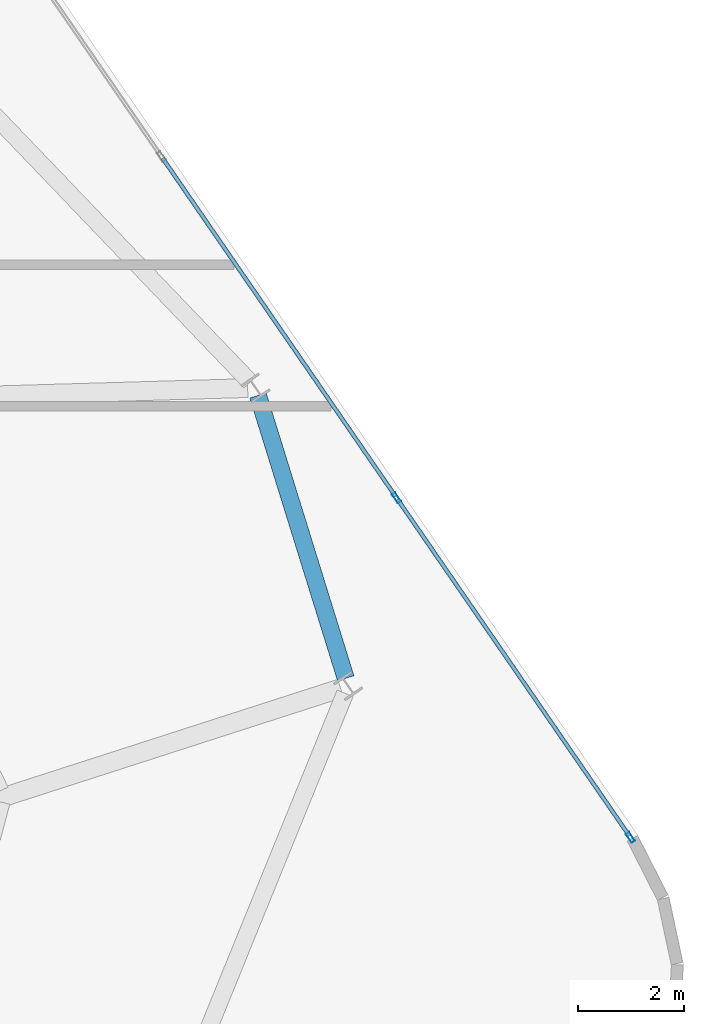
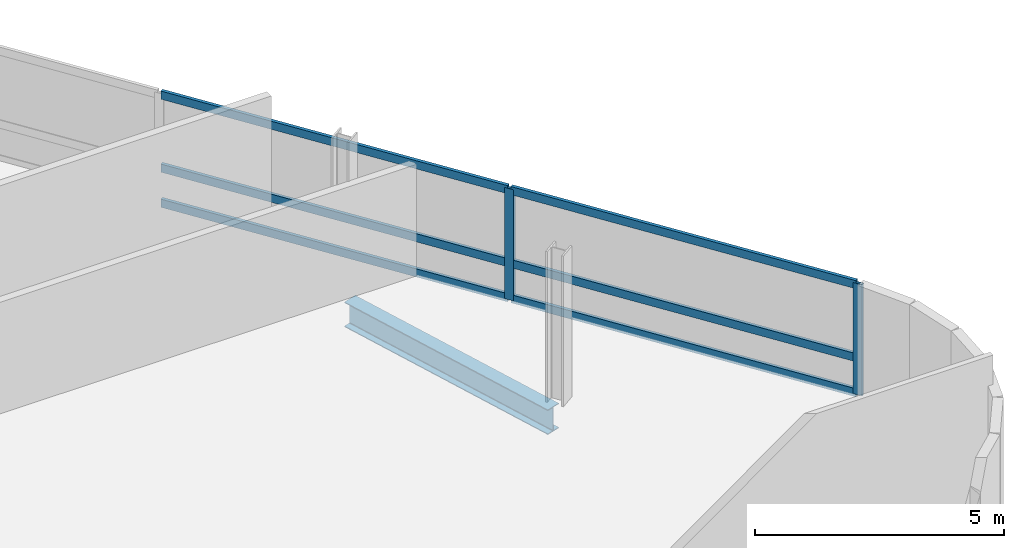
# One storey, part 11 of 21: 8 members, 1 beam, 1 element without a shape of its own.
"""IFC4 building model written with IfcOpenShell, lengths in metres."""

from ifc_helpers import new_model, si_unit, direction, frame, origin, origin_2d, place, context, subcontext, project, spatial, hollow_rectangle, i_section, extrude, material, layer, layer_set, material_profile, profile_set, type_object, element, aggregate, save


model = new_model("IFC4")

# Units and contexts
model_context = context("Model", 3, precision=1e-05, world=origin(), true_north=direction((0.0, 1.0)))
body_context = subcontext(model_context, "Body", "Model", "MODEL_VIEW")
ifc_project = project(units=[si_unit("LENGTHUNIT", "METRE"), si_unit("AREAUNIT", "SQUARE_METRE"), si_unit("VOLUMEUNIT", "CUBIC_METRE"), si_unit("PLANEANGLEUNIT", "RADIAN"), si_unit("MASSUNIT", "GRAM", prefix="KILO")], contexts=[model_context])

# Site, building, storey
site_placement = place(None, origin())
site = spatial("IfcSite", under=ifc_project, at=site_placement, CompositionType="ELEMENT")
building_placement = place(site_placement, origin())
building = spatial("IfcBuilding", under=site, at=building_placement, Name="Varnelok Gate Tower", CompositionType="ELEMENT")
storey_placement = place(building_placement, frame((0.0, 0.0, 276.699951171875)))
storey = spatial("IfcBuildingStorey", under=building, at=storey_placement, Name="L71", CompositionType="ELEMENT", Elevation=276.699951171875)

# Beam
ifc_material_1 = material(Name="Structural Steel ASTM A992 Grade 50", Category="steel")
ifc_material_profile_1 = material_profile(ifc_material_1, i_section(OverallWidth=0.323974609375, OverallDepth=0.611083984375, WebThickness=0.0126953125, FlangeThickness=0.01904296875, FilletRadius=0.01806640625, at=origin_2d()), Name="W24X104")
ifc_profile_set_1 = profile_set([ifc_material_profile_1], Name="Structural Steel ASTM A992 Grade 50")
beam_type = type_object("IfcBeamType", Name="BM-SPN-W24X104", PredefinedType="SPANDREL", material=ifc_profile_set_1)
beam_placement = place(storey_placement, frame((69.8125, 34.1748046875, -0.555419921875), z_axis=(-0.296340003452, 0.955082510757, 0.0), x_axis=(-0.955082510757, -0.296340003452, 0.0)))
element("IfcBeam", 1, at=beam_placement, inside=storey, type_object=beam_type, Name="L71 Perimeter Spandrel Beam 6", PredefinedType="SPANDREL", context=body_context, shape_type="SweptSolid", body=[
    extrude(i_section(OverallWidth=0.323974609375, OverallDepth=0.611083984375, WebThickness=0.0126953125, FlangeThickness=0.01904296875, FilletRadius=0.01806640625, at=origin_2d()), origin(), (0.0, 0.0, 1.0), 5.57666015625),
])

# Curtain wall, members
ifc_material_2 = material(Name="Anodized Aluminum Alloy 6063-T6", Category="aluminium")
ifc_layer = layer(ifc_material_2, 0.179931640625)
ifc_layer_set = layer_set([ifc_layer], Name="Anodized Aluminum Alloy 6063-T6")
curtain_wall_type = type_object("IfcCurtainWallType", Name="CW4-RESIDENCE-VISION", PredefinedType="USERDEFINED", material=ifc_layer_set)
curtain_wall_placement = place(storey_placement, origin())
curtain_wall = element("IfcCurtainWall", 2, at=curtain_wall_placement, inside=storey, type_object=curtain_wall_type, Name="L71 East End Vision Curtain Wall", ObjectType="UNITISED CURTAIN WALL", PredefinedType="USERDEFINED")
ifc_material_profile_2 = material_profile(ifc_material_2, hollow_rectangle(XDim=0.074951171875, YDim=0.199951171875, WallThickness=0.00390625, at=origin_2d()), Name="ALU200X75X4")
ifc_profile_set_2 = profile_set([ifc_material_profile_2], Name="Anodized Aluminum Alloy 6063-T6")
member_type_1 = type_object("IfcMemberType", Name="CW-MULL-200", PredefinedType="MULLION", material=ifc_profile_set_2)
member_1_placement = place(storey_placement, frame((70.768310546875, 37.57373046875, 0.0), z_axis=(0.0, 0.0, 1.0), x_axis=(0.823532290241, 0.567269395376, 0.0)))
member_1 = element("IfcMember", 3, at=member_1_placement, type_object=member_type_1, Name="CW4 mullion 4", PredefinedType="MULLION", context=body_context, shape_type="SweptSolid", body=[
    extrude(hollow_rectangle(XDim=0.074951171875, YDim=0.199951171875, WallThickness=0.00390625, at=origin_2d()), origin(), (0.0, 0.0, 1.0), 2.72998046875),
])
member_2_placement = place(storey_placement, frame((75.171630859375, 31.180908203125, 0.0), z_axis=(0.0, 0.0, 1.0), x_axis=(0.823532290241, 0.567269395376, 0.0)))
member_2 = element("IfcMember", 4, at=member_2_placement, type_object=member_type_1, Name="CW4 mullion 5", PredefinedType="MULLION", context=body_context, shape_type="SweptSolid", body=[
    extrude(hollow_rectangle(XDim=0.074951171875, YDim=0.199951171875, WallThickness=0.00390625, at=origin_2d()), origin(), (0.0, 0.0, 1.0), 2.72998046875),
])
ifc_material_profile_3 = material_profile(ifc_material_2, hollow_rectangle(XDim=0.074951171875, YDim=0.199951171875, WallThickness=0.00390625, at=origin_2d()), Name="ALU200X75X4")
ifc_profile_set_3 = profile_set([ifc_material_profile_3], Name="Anodized Aluminum Alloy 6063-T6")
member_type_2 = type_object("IfcMemberType", Name="CW-TRAN-200", PredefinedType="USERDEFINED", material=ifc_profile_set_3)
member_3_placement = place(storey_placement, frame((66.364990234375, 43.96630859375, 0.03759765625), z_axis=(0.567260941086, -0.823538113701, 0.0), x_axis=(0.823538113701, 0.567260941086, 0.0)))
member_3 = element("IfcMember", 5, at=member_3_placement, type_object=member_type_2, Name="CW4 transom 3.1", ObjectType="TRANSOM", PredefinedType="USERDEFINED", context=body_context, shape_type="SweptSolid", body=[
    extrude(hollow_rectangle(XDim=0.074951171875, YDim=0.199951171875, WallThickness=0.00390625, at=origin_2d()), origin(), (0.0, 0.0, 1.0), 7.72509765625),
])
member_4_placement = place(storey_placement, frame((66.364990234375, 43.96630859375, 0.900146484375), z_axis=(0.567260941086, -0.823538113701, 0.0), x_axis=(0.823538113701, 0.567260941086, 0.0)))
member_4 = element("IfcMember", 6, at=member_4_placement, type_object=member_type_2, Name="CW4 transom 3.2", ObjectType="TRANSOM", PredefinedType="USERDEFINED", context=body_context, shape_type="SweptSolid", body=[
    extrude(hollow_rectangle(XDim=0.074951171875, YDim=0.199951171875, WallThickness=0.00390625, at=origin_2d()), origin(), (0.0, 0.0, 1.0), 7.72509765625),
])
member_5_placement = place(storey_placement, frame((66.364990234375, 43.96630859375, 2.692626953125), z_axis=(0.567260941086, -0.823538113701, 0.0), x_axis=(0.823538113701, 0.567260941086, 0.0)))
member_5 = element("IfcMember", 7, at=member_5_placement, type_object=member_type_2, Name="CW4 transom 3.3", ObjectType="TRANSOM", PredefinedType="USERDEFINED", context=body_context, shape_type="SweptSolid", body=[
    extrude(hollow_rectangle(XDim=0.074951171875, YDim=0.199951171875, WallThickness=0.00390625, at=origin_2d()), origin(), (0.0, 0.0, 1.0), 7.72509765625),
])
member_6_placement = place(storey_placement, frame((70.78955078125, 37.542724609375, 0.03759765625), z_axis=(0.567271254331, -0.823531009744, 0.0), x_axis=(0.823531009744, 0.567271254331, 0.0)))
member_6 = element("IfcMember", 8, at=member_6_placement, type_object=member_type_2, Name="CW4 transom 4.1", ObjectType="TRANSOM", PredefinedType="USERDEFINED", context=body_context, shape_type="SweptSolid", body=[
    extrude(hollow_rectangle(XDim=0.074951171875, YDim=0.199951171875, WallThickness=0.00390625, at=origin_2d()), origin(), (0.0, 0.0, 1.0), 7.6875),
])
member_7_placement = place(storey_placement, frame((70.78955078125, 37.542724609375, 0.900146484375), z_axis=(0.567271254331, -0.823531009744, 0.0), x_axis=(0.823531009744, 0.567271254331, 0.0)))
member_7 = element("IfcMember", 9, at=member_7_placement, type_object=member_type_2, Name="CW4 transom 4.2", ObjectType="TRANSOM", PredefinedType="USERDEFINED", context=body_context, shape_type="SweptSolid", body=[
    extrude(hollow_rectangle(XDim=0.074951171875, YDim=0.199951171875, WallThickness=0.00390625, at=origin_2d()), origin(), (0.0, 0.0, 1.0), 7.6875),
])
member_8_placement = place(storey_placement, frame((70.78955078125, 37.542724609375, 2.692626953125), z_axis=(0.567271254331, -0.823531009744, 0.0), x_axis=(0.823531009744, 0.567271254331, 0.0)))
member_8 = element("IfcMember", 10, at=member_8_placement, type_object=member_type_2, Name="CW4 transom 4.3", ObjectType="TRANSOM", PredefinedType="USERDEFINED", context=body_context, shape_type="SweptSolid", body=[
    extrude(hollow_rectangle(XDim=0.074951171875, YDim=0.199951171875, WallThickness=0.00390625, at=origin_2d()), origin(), (0.0, 0.0, 1.0), 7.6875),
])
aggregate(curtain_wall, [member_1, member_2, member_3, member_4, member_5, member_6, member_7, member_8])

save(model, "model.ifc")
